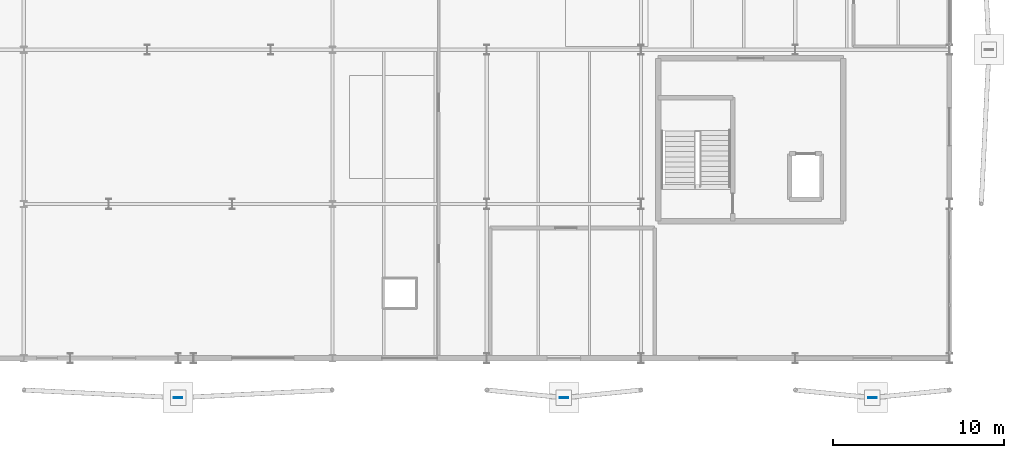
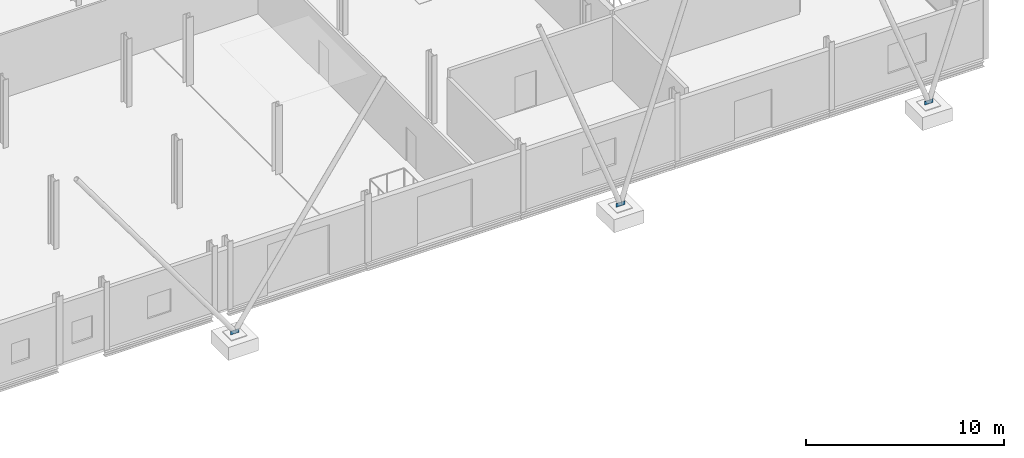
# One storey, part 115 of 140: 3 plates.
"""IFC4 building model written with IfcOpenShell, lengths in metres."""

from ifc_helpers import new_model, si_unit, direction, frame, origin, origin_2d, place, context, subcontext, project, spatial, rectangle, extrude, material, layer, layer_set, type_object, element, save


model = new_model("IFC4")

# Units and contexts
model_context = context("Model", 3, precision=1e-05, world=origin(), true_north=direction((0.0, 1.0)))
body_context = subcontext(model_context, "Body", "Model", "MODEL_VIEW")
ifc_project = project(units=[si_unit("LENGTHUNIT", "METRE"), si_unit("AREAUNIT", "SQUARE_METRE"), si_unit("VOLUMEUNIT", "CUBIC_METRE"), si_unit("PLANEANGLEUNIT", "RADIAN"), si_unit("MASSUNIT", "GRAM", prefix="KILO")], contexts=[model_context])

# Site, building, storey
site_placement = place(None, origin())
site = spatial("IfcSite", under=ifc_project, at=site_placement, CompositionType="ELEMENT")
building_placement = place(site_placement, origin())
building = spatial("IfcBuilding", under=site, at=building_placement, Name="Deido Ridge Mobility Hub", CompositionType="ELEMENT")
storey_placement = place(building_placement, origin())
storey = spatial("IfcBuildingStorey", under=building, at=storey_placement, Name="L00", CompositionType="ELEMENT", Elevation=0.0)

# Plates
ifc_material = material(Name="Steel S355J2 EN 10025-2", Category="steel")
ifc_layer = layer(ifc_material, 0.031982421875, Name="Steel S355J2 EN 10025-2")
ifc_layer_set = layer_set([ifc_layer], Name="Steel S355J2 EN 10025-2")
plate_type = type_object("IfcPlateType", Name="PLT-GUS-32", PredefinedType="USERDEFINED", material=ifc_layer_set)
for number, where, z_axis, x_axis, name in (
    (1, (135.0, -2.300048828125, 0.03515625), (0.0, 0.0, 1.0), (1.0, 0.0, 0.0), "Exoskeleton V-strut pedestal gusset GP4 127"),
    (2, (157.5, -2.300048828125, 0.03515625), (0.0, 0.0, 1.0), (1.0, 0.0, 0.0), "Exoskeleton V-strut pedestal gusset GP4 131"),
    (3, (175.5, -2.300048828125, 0.03515625), (0.0, 0.0, 1.0), (1.0, 0.0, 0.0), "Exoskeleton V-strut pedestal gusset GP4 135"),
):
    element("IfcPlate", number, at=place(storey_placement, frame(where, z_axis=z_axis, x_axis=x_axis)), inside=storey, type_object=plate_type, Name=name, ObjectType="GUSSET PLATE", PredefinedType="USERDEFINED", context=body_context, shape_type="SweptSolid", body=[
        extrude(rectangle(XDim=0.5, YDim=0.031982421875, at=origin_2d()), origin(), (0.0, 0.0, 1.0), 0.219970703125),
    ])

save(model, "model.ifc")
